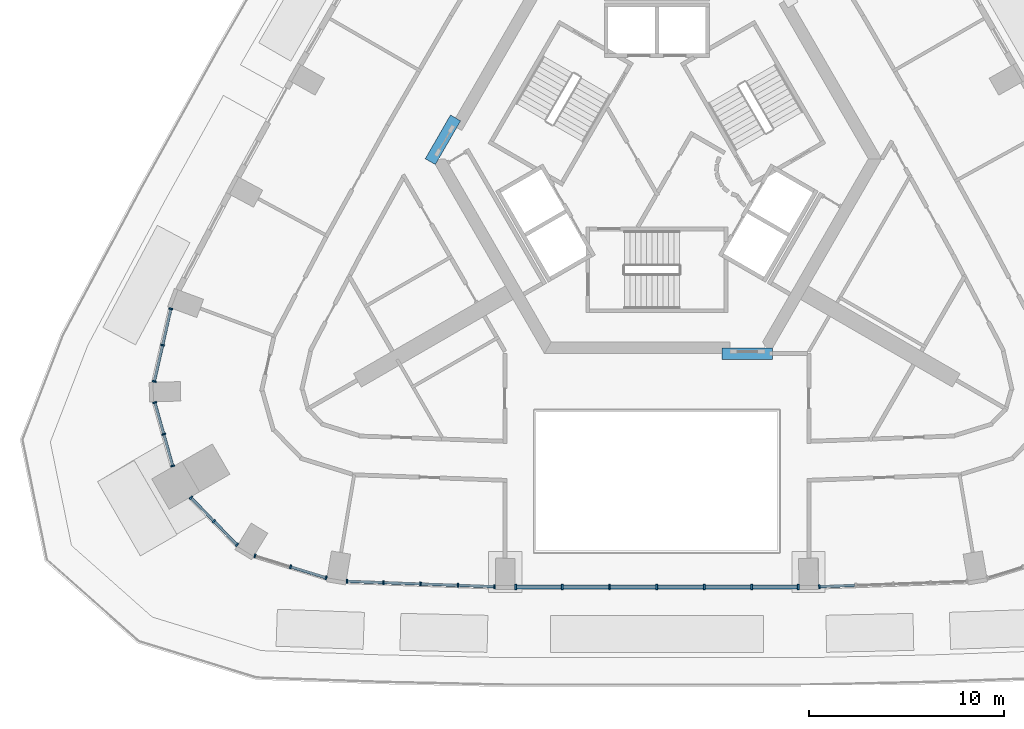
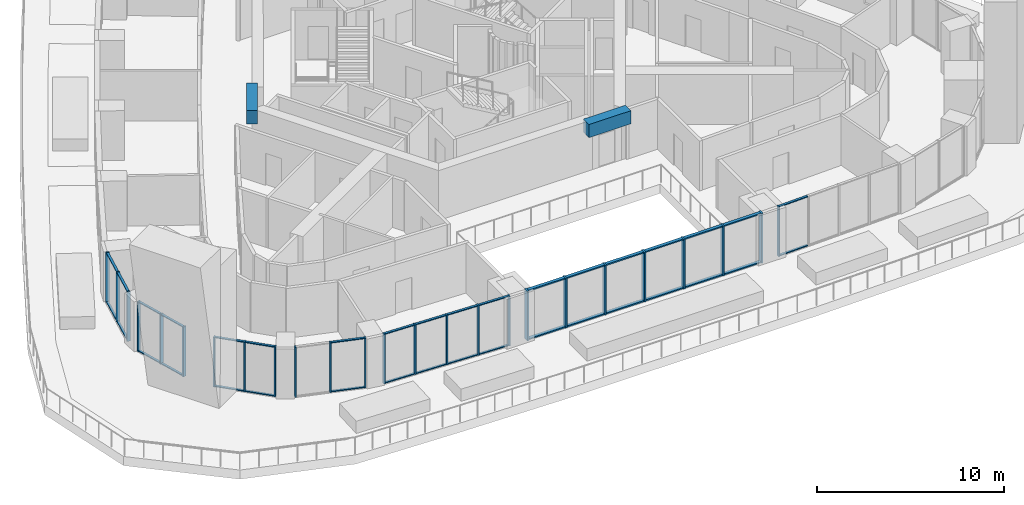
# One storey, part 2 of 14: 61 members, 2 beams, 7 elements without a shape of their own.
"""IFC4 building model written with IfcOpenShell, lengths in metres."""

from ifc_helpers import new_model, si_unit, direction, frame, origin, origin_2d, place, context, subcontext, project, spatial, rectangle, extrude, material, material_profile, profile_set, type_object, element, aggregate, save


model = new_model("IFC4")

# Units and contexts
model_context = context("Model", 3, precision=1e-05, world=origin(), true_north=direction((0.0, 1.0)))
body_context = subcontext(model_context, "Body", "Model", "MODEL_VIEW")
ifc_project = project(units=[si_unit("LENGTHUNIT", "METRE"), si_unit("AREAUNIT", "SQUARE_METRE"), si_unit("VOLUMEUNIT", "CUBIC_METRE"), si_unit("PLANEANGLEUNIT", "RADIAN"), si_unit("MASSUNIT", "GRAM", prefix="KILO")], contexts=[model_context])

# Site, building, storey
site_placement = place(None, origin())
site = spatial("IfcSite", under=ifc_project, at=site_placement, CompositionType="ELEMENT")
building_placement = place(site_placement, origin())
building = spatial("IfcBuilding", under=site, at=building_placement, Name="Entoto Arch Interchange Tower", CompositionType="ELEMENT")
storey_placement = place(building_placement, frame((0.0, 0.0, 241.39990234375)))
storey = spatial("IfcBuildingStorey", under=building, at=storey_placement, Name="L54", CompositionType="ELEMENT", Elevation=241.39990234375)

# Beams
ifc_material_1 = material(Name="Concrete C40/50", Category="concrete")
ifc_material_profile_1 = material_profile(ifc_material_1, rectangle(XDim=0.60009765625, YDim=0.860107421875, at=origin_2d()))
ifc_profile_set_1 = profile_set([ifc_material_profile_1], Name="Concrete C40/50")
beam_type = type_object("IfcBeamType", Name="Coupling beam RC 600x860 C40/50", PredefinedType="BEAM", material=ifc_profile_set_1)
beam_1_placement = place(storey_placement, frame((-10.3359375, 4.59912109375, 2.830078125), z_axis=(-0.499814819145, -0.866132291606, 0.0), x_axis=(0.866132291606, -0.499814819145, 0.0)))
element("IfcBeam", 1, at=beam_1_placement, inside=storey, type_object=beam_type, Name="Coupling beam NW L54", PredefinedType="BEAM", context=body_context, shape_type="SweptSolid", body=[
    extrude(rectangle(XDim=0.60009765625, YDim=0.860107421875, at=origin_2d()), origin(), (0.0, 0.0, 1.0), 2.59326171875),
])
beam_2_placement = place(storey_placement, frame((3.35009765625, -7.5, 2.830078125), z_axis=(1.0, 0.0, 0.0), x_axis=(0.0, 1.0, 0.0)))
element("IfcBeam", 2, at=beam_2_placement, inside=storey, type_object=beam_type, Name="Coupling beam S L54", PredefinedType="BEAM", context=body_context, shape_type="SweptSolid", body=[
    extrude(rectangle(XDim=0.60009765625, YDim=0.860107421875, at=origin_2d()), origin(), (0.0, 0.0, 1.0), 2.593994140625),
])

# Curtain wall, members
ifc_material_2 = material(Name="Aluminium, anodised", Category="aluminium")
curtain_wall_type_1 = type_object("IfcCurtainWallType", Name="CURTAIN WALL ATRIUM", PredefinedType="NOTDEFINED", material=ifc_material_2)
curtain_wall_1_placement = place(storey_placement, origin())
curtain_wall_1 = element("IfcCurtainWall", 3, at=curtain_wall_1_placement, inside=storey, type_object=curtain_wall_type_1, Name="Atrium glazing S-02 L54", PredefinedType="NOTDEFINED")
ifc_material_profile_2 = material_profile(ifc_material_2, rectangle(XDim=0.300048828125, YDim=0.10009765625, at=origin_2d()))
ifc_profile_set_2 = profile_set([ifc_material_profile_2], Name="Aluminium, anodised")
member_type_1 = type_object("IfcMemberType", Name="MULLION ATRIUM 100x300", PredefinedType="MULLION", material=ifc_profile_set_2)
member_1_placement = place(storey_placement, frame((-7.2490234375, -19.48291015625, 0.0), z_axis=(0.0, 0.0, 1.0), x_axis=(0.0, 1.0, 0.0)))
member_1 = element("IfcMember", 4, at=member_1_placement, type_object=member_type_1, Name="CWA mullion 1", PredefinedType="MULLION", context=body_context, shape_type="SweptSolid", body=[
    extrude(rectangle(XDim=0.300048828125, YDim=0.10009765625, at=origin_2d()), origin(), (0.0, 0.0, 1.0), 3.260009765625),
])
member_2_placement = place(storey_placement, frame((-4.865966796875, -19.48291015625, 0.0), z_axis=(0.0, 0.0, 1.0), x_axis=(0.0, 1.0, 0.0)))
member_2 = element("IfcMember", 5, at=member_2_placement, type_object=member_type_1, Name="CWA mullion 2", PredefinedType="MULLION", context=body_context, shape_type="SweptSolid", body=[
    extrude(rectangle(XDim=0.300048828125, YDim=0.10009765625, at=origin_2d()), origin(), (0.0, 0.0, 1.0), 3.260009765625),
])
member_3_placement = place(storey_placement, frame((-2.43310546875, -19.48291015625, 0.0), z_axis=(0.0, 0.0, 1.0), x_axis=(0.0, 1.0, 0.0)))
member_3 = element("IfcMember", 6, at=member_3_placement, type_object=member_type_1, Name="CWA mullion 3", PredefinedType="MULLION", context=body_context, shape_type="SweptSolid", body=[
    extrude(rectangle(XDim=0.300048828125, YDim=0.10009765625, at=origin_2d()), origin(), (0.0, 0.0, 1.0), 3.260009765625),
])
member_4_placement = place(storey_placement, frame((0.0, -19.48291015625, 0.0), z_axis=(0.0, 0.0, 1.0), x_axis=(0.0, 1.0, 0.0)))
member_4 = element("IfcMember", 7, at=member_4_placement, type_object=member_type_1, Name="CWA mullion 4", PredefinedType="MULLION", context=body_context, shape_type="SweptSolid", body=[
    extrude(rectangle(XDim=0.300048828125, YDim=0.10009765625, at=origin_2d()), origin(), (0.0, 0.0, 1.0), 3.260009765625),
])
member_5_placement = place(storey_placement, frame((2.43310546875, -19.48291015625, 0.0), z_axis=(0.0, 0.0, 1.0), x_axis=(0.0, 1.0, 0.0)))
member_5 = element("IfcMember", 8, at=member_5_placement, type_object=member_type_1, Name="CWA mullion 5", PredefinedType="MULLION", context=body_context, shape_type="SweptSolid", body=[
    extrude(rectangle(XDim=0.300048828125, YDim=0.10009765625, at=origin_2d()), origin(), (0.0, 0.0, 1.0), 3.260009765625),
])
member_6_placement = place(storey_placement, frame((4.865966796875, -19.48291015625, 0.0), z_axis=(0.0, 0.0, 1.0), x_axis=(0.0, 1.0, 0.0)))
member_6 = element("IfcMember", 9, at=member_6_placement, type_object=member_type_1, Name="CWA mullion 6", PredefinedType="MULLION", context=body_context, shape_type="SweptSolid", body=[
    extrude(rectangle(XDim=0.300048828125, YDim=0.10009765625, at=origin_2d()), origin(), (0.0, 0.0, 1.0), 3.260009765625),
])
member_7_placement = place(storey_placement, frame((7.2490234375, -19.48291015625, 0.0), z_axis=(0.0, 0.0, 1.0), x_axis=(0.0, 1.0, 0.0)))
member_7 = element("IfcMember", 10, at=member_7_placement, type_object=member_type_1, Name="CWA mullion 7", PredefinedType="MULLION", context=body_context, shape_type="SweptSolid", body=[
    extrude(rectangle(XDim=0.300048828125, YDim=0.10009765625, at=origin_2d()), origin(), (0.0, 0.0, 1.0), 3.260009765625),
])

curtain_wall_type_2 = type_object("IfcCurtainWallType", Name="CURTAIN WALL HOTEL LOBBY", PredefinedType="NOTDEFINED", material=ifc_material_2)
curtain_wall_2_placement = place(storey_placement, origin())
curtain_wall_2 = element("IfcCurtainWall", 11, at=curtain_wall_2_placement, inside=storey, type_object=curtain_wall_type_2, Name="Hotel Lobby glazing S-01 L54", PredefinedType="NOTDEFINED")
ifc_material_profile_3 = material_profile(ifc_material_2, rectangle(XDim=0.199951171875, YDim=0.080078125, at=origin_2d()))
ifc_profile_set_3 = profile_set([ifc_material_profile_3], Name="Aluminium, anodised")
member_type_2 = type_object("IfcMemberType", Name="MULLION HOTEL LOBBY 80x200", PredefinedType="MULLION", material=ifc_profile_set_3)
member_8_placement = place(storey_placement, frame((-15.916015625, -19.1865234375, 0.0), z_axis=(0.0, 0.0, 1.0), x_axis=(0.036529128561, 0.999332588664, 0.0)))
member_8 = element("IfcMember", 12, at=member_8_placement, type_object=member_type_2, Name="CWH mullion 1", PredefinedType="MULLION", context=body_context, shape_type="SweptSolid", body=[
    extrude(rectangle(XDim=0.199951171875, YDim=0.080078125, at=origin_2d()), origin(), (0.0, 0.0, 1.0), 3.260009765625),
])
member_9_placement = place(storey_placement, frame((-14.041015625, -19.2548828125, 0.0), z_axis=(0.0, 0.0, 1.0), x_axis=(0.036529128561, 0.999332588664, 0.0)))
member_9 = element("IfcMember", 13, at=member_9_placement, type_object=member_type_2, Name="CWH mullion 2", PredefinedType="MULLION", context=body_context, shape_type="SweptSolid", body=[
    extrude(rectangle(XDim=0.199951171875, YDim=0.080078125, at=origin_2d()), origin(), (0.0, 0.0, 1.0), 3.260009765625),
])
member_10_placement = place(storey_placement, frame((-12.1259765625, -19.324951171875, 0.0), z_axis=(0.0, 0.0, 1.0), x_axis=(0.036529128561, 0.999332588664, 0.0)))
member_10 = element("IfcMember", 14, at=member_10_placement, type_object=member_type_2, Name="CWH mullion 3", PredefinedType="MULLION", context=body_context, shape_type="SweptSolid", body=[
    extrude(rectangle(XDim=0.199951171875, YDim=0.080078125, at=origin_2d()), origin(), (0.0, 0.0, 1.0), 3.260009765625),
])
member_11_placement = place(storey_placement, frame((-10.2109375, -19.39501953125, 0.0), z_axis=(0.0, 0.0, 1.0), x_axis=(0.036529128561, 0.999332588664, 0.0)))
member_11 = element("IfcMember", 15, at=member_11_placement, type_object=member_type_2, Name="CWH mullion 4", PredefinedType="MULLION", context=body_context, shape_type="SweptSolid", body=[
    extrude(rectangle(XDim=0.199951171875, YDim=0.080078125, at=origin_2d()), origin(), (0.0, 0.0, 1.0), 3.260009765625),
])
member_12_placement = place(storey_placement, frame((-8.3359375, -19.463623046875, 0.0), z_axis=(0.0, 0.0, 1.0), x_axis=(0.036529128561, 0.999332588664, 0.0)))
member_12 = element("IfcMember", 16, at=member_12_placement, type_object=member_type_2, Name="CWH mullion 5", PredefinedType="MULLION", context=body_context, shape_type="SweptSolid", body=[
    extrude(rectangle(XDim=0.199951171875, YDim=0.080078125, at=origin_2d()), origin(), (0.0, 0.0, 1.0), 3.260009765625),
])

# Curtain wall, member
curtain_wall_3_placement = place(storey_placement, origin())
curtain_wall_3 = element("IfcCurtainWall", 17, at=curtain_wall_3_placement, inside=storey, type_object=curtain_wall_type_2, Name="Hotel Lobby glazing S-03 L54", PredefinedType="NOTDEFINED")
member_13_placement = place(storey_placement, frame((8.3359375, -19.463623046875, 0.0), z_axis=(0.0, 0.0, 1.0), x_axis=(-0.036529128561, 0.999332588664, 0.0)))
member_13 = element("IfcMember", 18, at=member_13_placement, type_object=member_type_2, Name="CWH mullion 1", PredefinedType="MULLION", context=body_context, shape_type="SweptSolid", body=[
    extrude(rectangle(XDim=0.199951171875, YDim=0.080078125, at=origin_2d()), origin(), (0.0, 0.0, 1.0), 3.260009765625),
])

# Curtain wall, members
curtain_wall_4_placement = place(storey_placement, origin())
curtain_wall_4 = element("IfcCurtainWall", 19, at=curtain_wall_4_placement, inside=storey, type_object=curtain_wall_type_2, Name="Hotel Lobby glazing SW-01 L54", PredefinedType="NOTDEFINED")
member_14_placement = place(storey_placement, frame((-24.948974609375, -5.199951171875, 0.0), z_axis=(0.0, 0.0, 1.0), x_axis=(0.974880746061, -0.222727481374, 0.0)))
member_14 = element("IfcMember", 20, at=member_14_placement, type_object=member_type_2, Name="CWH mullion 1", PredefinedType="MULLION", context=body_context, shape_type="SweptSolid", body=[
    extrude(rectangle(XDim=0.199951171875, YDim=0.080078125, at=origin_2d()), origin(), (0.0, 0.0, 1.0), 3.260009765625),
])
member_15_placement = place(storey_placement, frame((-25.375, -7.06494140625, 0.0), z_axis=(0.0, 0.0, 1.0), x_axis=(0.974880746061, -0.222727481374, 0.0)))
member_15 = element("IfcMember", 21, at=member_15_placement, type_object=member_type_2, Name="CWH mullion 2", PredefinedType="MULLION", context=body_context, shape_type="SweptSolid", body=[
    extrude(rectangle(XDim=0.199951171875, YDim=0.080078125, at=origin_2d()), origin(), (0.0, 0.0, 1.0), 3.260009765625),
])
member_16_placement = place(storey_placement, frame((-25.801025390625, -8.929931640625, 0.0), z_axis=(0.0, 0.0, 1.0), x_axis=(0.974880746061, -0.222727481374, 0.0)))
member_16 = element("IfcMember", 22, at=member_16_placement, type_object=member_type_2, Name="CWH mullion 3", PredefinedType="MULLION", context=body_context, shape_type="SweptSolid", body=[
    extrude(rectangle(XDim=0.199951171875, YDim=0.080078125, at=origin_2d()), origin(), (0.0, 0.0, 1.0), 3.260009765625),
])

curtain_wall_5_placement = place(storey_placement, origin())
curtain_wall_5 = element("IfcCurtainWall", 23, at=curtain_wall_5_placement, inside=storey, type_object=curtain_wall_type_2, Name="Hotel Lobby glazing SW-02 L54", PredefinedType="NOTDEFINED")
member_17_placement = place(storey_placement, frame((-25.774169921875, -10.009521484375, 0.0), z_axis=(0.0, 0.0, 1.0), x_axis=(0.962594515404, 0.2709461181, 0.0)))
member_17 = element("IfcMember", 24, at=member_17_placement, type_object=member_type_2, Name="CWH mullion 1", PredefinedType="MULLION", context=body_context, shape_type="SweptSolid", body=[
    extrude(rectangle(XDim=0.199951171875, YDim=0.080078125, at=origin_2d()), origin(), (0.0, 0.0, 1.0), 3.260009765625),
])
member_18_placement = place(storey_placement, frame((-25.3154296875, -11.638916015625, 0.0), z_axis=(0.0, 0.0, 1.0), x_axis=(0.962594515404, 0.2709461181, 0.0)))
member_18 = element("IfcMember", 25, at=member_18_placement, type_object=member_type_2, Name="CWH mullion 2", PredefinedType="MULLION", context=body_context, shape_type="SweptSolid", body=[
    extrude(rectangle(XDim=0.199951171875, YDim=0.080078125, at=origin_2d()), origin(), (0.0, 0.0, 1.0), 3.260009765625),
])
member_19_placement = place(storey_placement, frame((-24.85693359375, -13.2685546875, 0.0), z_axis=(0.0, 0.0, 1.0), x_axis=(0.962594515404, 0.2709461181, 0.0)))
member_19 = element("IfcMember", 26, at=member_19_placement, type_object=member_type_2, Name="CWH mullion 3", PredefinedType="MULLION", context=body_context, shape_type="SweptSolid", body=[
    extrude(rectangle(XDim=0.199951171875, YDim=0.080078125, at=origin_2d()), origin(), (0.0, 0.0, 1.0), 3.260009765625),
])

curtain_wall_6_placement = place(storey_placement, origin())
curtain_wall_6 = element("IfcCurtainWall", 27, at=curtain_wall_6_placement, inside=storey, type_object=curtain_wall_type_2, Name="Hotel Lobby glazing SW-03 L54", PredefinedType="NOTDEFINED")
member_20_placement = place(storey_placement, frame((-23.9189453125, -14.8935546875, 0.0), z_axis=(0.0, 0.0, 1.0), x_axis=(0.715715068987, 0.698392396883, 0.0)))
member_20 = element("IfcMember", 28, at=member_20_placement, type_object=member_type_2, Name="CWH mullion 1", PredefinedType="MULLION", context=body_context, shape_type="SweptSolid", body=[
    extrude(rectangle(XDim=0.199951171875, YDim=0.080078125, at=origin_2d()), origin(), (0.0, 0.0, 1.0), 3.260009765625),
])
member_21_placement = place(storey_placement, frame((-22.737548828125, -16.1044921875, 0.0), z_axis=(0.0, 0.0, 1.0), x_axis=(0.715715068987, 0.698392396883, 0.0)))
member_21 = element("IfcMember", 29, at=member_21_placement, type_object=member_type_2, Name="CWH mullion 2", PredefinedType="MULLION", context=body_context, shape_type="SweptSolid", body=[
    extrude(rectangle(XDim=0.199951171875, YDim=0.080078125, at=origin_2d()), origin(), (0.0, 0.0, 1.0), 3.260009765625),
])
member_22_placement = place(storey_placement, frame((-21.555908203125, -17.3154296875, 0.0), z_axis=(0.0, 0.0, 1.0), x_axis=(0.715715068987, 0.698392396883, 0.0)))
member_22 = element("IfcMember", 30, at=member_22_placement, type_object=member_type_2, Name="CWH mullion 3", PredefinedType="MULLION", context=body_context, shape_type="SweptSolid", body=[
    extrude(rectangle(XDim=0.199951171875, YDim=0.080078125, at=origin_2d()), origin(), (0.0, 0.0, 1.0), 3.260009765625),
])

curtain_wall_7_placement = place(storey_placement, origin())
curtain_wall_7 = element("IfcCurtainWall", 31, at=curtain_wall_7_placement, inside=storey, type_object=curtain_wall_type_2, Name="Hotel Lobby glazing SW-04 L54", PredefinedType="NOTDEFINED")
member_23_placement = place(storey_placement, frame((-20.634765625, -17.8798828125, 0.0), z_axis=(0.0, 0.0, 1.0), x_axis=(0.294409647977, 0.95567931817, 0.0)))
member_23 = element("IfcMember", 32, at=member_23_placement, type_object=member_type_2, Name="CWH mullion 1", PredefinedType="MULLION", context=body_context, shape_type="SweptSolid", body=[
    extrude(rectangle(XDim=0.199951171875, YDim=0.080078125, at=origin_2d()), origin(), (0.0, 0.0, 1.0), 3.260009765625),
])
member_24_placement = place(storey_placement, frame((-18.806396484375, -18.443115234375, 0.0), z_axis=(0.0, 0.0, 1.0), x_axis=(0.294409647977, 0.95567931817, 0.0)))
member_24 = element("IfcMember", 33, at=member_24_placement, type_object=member_type_2, Name="CWH mullion 2", PredefinedType="MULLION", context=body_context, shape_type="SweptSolid", body=[
    extrude(rectangle(XDim=0.199951171875, YDim=0.080078125, at=origin_2d()), origin(), (0.0, 0.0, 1.0), 3.260009765625),
])
member_25_placement = place(storey_placement, frame((-16.978271484375, -19.006103515625, 0.0), z_axis=(0.0, 0.0, 1.0), x_axis=(0.294409647977, 0.95567931817, 0.0)))
member_25 = element("IfcMember", 34, at=member_25_placement, type_object=member_type_2, Name="CWH mullion 3", PredefinedType="MULLION", context=body_context, shape_type="SweptSolid", body=[
    extrude(rectangle(XDim=0.199951171875, YDim=0.080078125, at=origin_2d()), origin(), (0.0, 0.0, 1.0), 3.260009765625),
])

# Member
ifc_material_profile_4 = material_profile(ifc_material_2, rectangle(XDim=0.199951171875, YDim=0.080078125, at=origin_2d()))
ifc_profile_set_4 = profile_set([ifc_material_profile_4], Name="Aluminium, anodised")
member_type_3 = type_object("IfcMemberType", Name="TRANSOM ATRIUM 80x200", PredefinedType="USERDEFINED", material=ifc_profile_set_4)
member_26_placement = place(storey_placement, frame((-7.198974609375, -19.48291015625, 0.0400390625), z_axis=(1.0, 0.0, 0.0), x_axis=(0.0, 1.0, 0.0)))
member_26 = element("IfcMember", 35, at=member_26_placement, type_object=member_type_3, Name="CWA transom 1.1", ObjectType="TRANSOM", PredefinedType="USERDEFINED", context=body_context, shape_type="SweptSolid", body=[
    extrude(rectangle(XDim=0.199951171875, YDim=0.080078125, at=origin_2d()), origin(), (0.0, 0.0, 1.0), 2.282958984375),
])

member_27_placement = place(storey_placement, frame((-7.198974609375, -19.48291015625, 3.22021484375), z_axis=(1.0, 0.0, 0.0), x_axis=(0.0, 1.0, 0.0)))
member_27 = element("IfcMember", 36, at=member_27_placement, type_object=member_type_3, Name="CWA transom 1.2", ObjectType="TRANSOM", PredefinedType="USERDEFINED", context=body_context, shape_type="SweptSolid", body=[
    extrude(rectangle(XDim=0.199951171875, YDim=0.080078125, at=origin_2d()), origin(), (0.0, 0.0, 1.0), 2.282958984375),
])

member_28_placement = place(storey_placement, frame((-4.81591796875, -19.48291015625, 0.0400390625), z_axis=(1.0, 0.0, 0.0), x_axis=(0.0, 1.0, 0.0)))
member_28 = element("IfcMember", 37, at=member_28_placement, type_object=member_type_3, Name="CWA transom 2.1", ObjectType="TRANSOM", PredefinedType="USERDEFINED", context=body_context, shape_type="SweptSolid", body=[
    extrude(rectangle(XDim=0.199951171875, YDim=0.080078125, at=origin_2d()), origin(), (0.0, 0.0, 1.0), 2.3330078125),
])

member_29_placement = place(storey_placement, frame((-4.81591796875, -19.48291015625, 3.22021484375), z_axis=(1.0, 0.0, 0.0), x_axis=(0.0, 1.0, 0.0)))
member_29 = element("IfcMember", 38, at=member_29_placement, type_object=member_type_3, Name="CWA transom 2.2", ObjectType="TRANSOM", PredefinedType="USERDEFINED", context=body_context, shape_type="SweptSolid", body=[
    extrude(rectangle(XDim=0.199951171875, YDim=0.080078125, at=origin_2d()), origin(), (0.0, 0.0, 1.0), 2.3330078125),
])

member_30_placement = place(storey_placement, frame((-2.383056640625, -19.48291015625, 0.0400390625), z_axis=(1.0, 0.0, 0.0), x_axis=(0.0, 1.0, 0.0)))
member_30 = element("IfcMember", 39, at=member_30_placement, type_object=member_type_3, Name="CWA transom 3.1", ObjectType="TRANSOM", PredefinedType="USERDEFINED", context=body_context, shape_type="SweptSolid", body=[
    extrude(rectangle(XDim=0.199951171875, YDim=0.080078125, at=origin_2d()), origin(), (0.0, 0.0, 1.0), 2.3330078125),
])

member_31_placement = place(storey_placement, frame((-2.383056640625, -19.48291015625, 3.22021484375), z_axis=(1.0, 0.0, 0.0), x_axis=(0.0, 1.0, 0.0)))
member_31 = element("IfcMember", 40, at=member_31_placement, type_object=member_type_3, Name="CWA transom 3.2", ObjectType="TRANSOM", PredefinedType="USERDEFINED", context=body_context, shape_type="SweptSolid", body=[
    extrude(rectangle(XDim=0.199951171875, YDim=0.080078125, at=origin_2d()), origin(), (0.0, 0.0, 1.0), 2.3330078125),
])

member_32_placement = place(storey_placement, frame((0.050048828125, -19.48291015625, 0.0400390625), z_axis=(1.0, 0.0, 0.0), x_axis=(0.0, 1.0, 0.0)))
member_32 = element("IfcMember", 41, at=member_32_placement, type_object=member_type_3, Name="CWA transom 4.1", ObjectType="TRANSOM", PredefinedType="USERDEFINED", context=body_context, shape_type="SweptSolid", body=[
    extrude(rectangle(XDim=0.199951171875, YDim=0.080078125, at=origin_2d()), origin(), (0.0, 0.0, 1.0), 2.3330078125),
])

member_33_placement = place(storey_placement, frame((0.050048828125, -19.48291015625, 3.22021484375), z_axis=(1.0, 0.0, 0.0), x_axis=(0.0, 1.0, 0.0)))
member_33 = element("IfcMember", 42, at=member_33_placement, type_object=member_type_3, Name="CWA transom 4.2", ObjectType="TRANSOM", PredefinedType="USERDEFINED", context=body_context, shape_type="SweptSolid", body=[
    extrude(rectangle(XDim=0.199951171875, YDim=0.080078125, at=origin_2d()), origin(), (0.0, 0.0, 1.0), 2.3330078125),
])

member_34_placement = place(storey_placement, frame((2.48291015625, -19.48291015625, 0.0400390625), z_axis=(1.0, 0.0, 0.0), x_axis=(0.0, 1.0, 0.0)))
member_34 = element("IfcMember", 43, at=member_34_placement, type_object=member_type_3, Name="CWA transom 5.1", ObjectType="TRANSOM", PredefinedType="USERDEFINED", context=body_context, shape_type="SweptSolid", body=[
    extrude(rectangle(XDim=0.199951171875, YDim=0.080078125, at=origin_2d()), origin(), (0.0, 0.0, 1.0), 2.3330078125),
])

member_35_placement = place(storey_placement, frame((2.48291015625, -19.48291015625, 3.22021484375), z_axis=(1.0, 0.0, 0.0), x_axis=(0.0, 1.0, 0.0)))
member_35 = element("IfcMember", 44, at=member_35_placement, type_object=member_type_3, Name="CWA transom 5.2", ObjectType="TRANSOM", PredefinedType="USERDEFINED", context=body_context, shape_type="SweptSolid", body=[
    extrude(rectangle(XDim=0.199951171875, YDim=0.080078125, at=origin_2d()), origin(), (0.0, 0.0, 1.0), 2.3330078125),
])

member_36_placement = place(storey_placement, frame((4.916015625, -19.48291015625, 0.0400390625), z_axis=(1.0, 0.0, 0.0), x_axis=(0.0, 1.0, 0.0)))
member_36 = element("IfcMember", 45, at=member_36_placement, type_object=member_type_3, Name="CWA transom 6.1", ObjectType="TRANSOM", PredefinedType="USERDEFINED", context=body_context, shape_type="SweptSolid", body=[
    extrude(rectangle(XDim=0.199951171875, YDim=0.080078125, at=origin_2d()), origin(), (0.0, 0.0, 1.0), 2.282958984375),
])

member_37_placement = place(storey_placement, frame((4.916015625, -19.48291015625, 3.22021484375), z_axis=(1.0, 0.0, 0.0), x_axis=(0.0, 1.0, 0.0)))
member_37 = element("IfcMember", 46, at=member_37_placement, type_object=member_type_3, Name="CWA transom 6.2", ObjectType="TRANSOM", PredefinedType="USERDEFINED", context=body_context, shape_type="SweptSolid", body=[
    extrude(rectangle(XDim=0.199951171875, YDim=0.080078125, at=origin_2d()), origin(), (0.0, 0.0, 1.0), 2.282958984375),
])

aggregate(curtain_wall_1, [member_1, member_2, member_3, member_4, member_5, member_6, member_7, member_26, member_27, member_28, member_29, member_30, member_31, member_32, member_33, member_34, member_35, member_36, member_37])

ifc_material_profile_5 = material_profile(ifc_material_2, rectangle(XDim=0.139892578125, YDim=0.06005859375, at=origin_2d()))
ifc_profile_set_5 = profile_set([ifc_material_profile_5], Name="Aluminium, anodised")
member_type_4 = type_object("IfcMemberType", Name="TRANSOM HOTEL LOBBY 60x140", PredefinedType="USERDEFINED", material=ifc_profile_set_5)
member_38_placement = place(storey_placement, frame((-15.8759765625, -19.18798828125, 0.030029296875), z_axis=(0.999336262978, -0.036428470957, 0.0), x_axis=(0.036428470957, 0.999336262978, 0.0)))
member_38 = element("IfcMember", 47, at=member_38_placement, type_object=member_type_4, Name="CWH transom 1.1", ObjectType="TRANSOM", PredefinedType="USERDEFINED", context=body_context, shape_type="SweptSolid", body=[
    extrude(rectangle(XDim=0.139892578125, YDim=0.06005859375, at=origin_2d()), origin(), (0.0, 0.0, 1.0), 1.796142578125),
])

member_39_placement = place(storey_placement, frame((-15.8759765625, -19.18798828125, 3.22998046875), z_axis=(0.999336262978, -0.036428470957, 0.0), x_axis=(0.036428470957, 0.999336262978, 0.0)))
member_39 = element("IfcMember", 48, at=member_39_placement, type_object=member_type_4, Name="CWH transom 1.2", ObjectType="TRANSOM", PredefinedType="USERDEFINED", context=body_context, shape_type="SweptSolid", body=[
    extrude(rectangle(XDim=0.139892578125, YDim=0.06005859375, at=origin_2d()), origin(), (0.0, 0.0, 1.0), 1.796142578125),
])

member_40_placement = place(storey_placement, frame((-14.0009765625, -19.25634765625, 0.030029296875), z_axis=(0.999331308096, -0.036564144455, 0.0), x_axis=(0.036564144455, 0.999331308096, 0.0)))
member_40 = element("IfcMember", 49, at=member_40_placement, type_object=member_type_4, Name="CWH transom 2.1", ObjectType="TRANSOM", PredefinedType="USERDEFINED", context=body_context, shape_type="SweptSolid", body=[
    extrude(rectangle(XDim=0.139892578125, YDim=0.06005859375, at=origin_2d()), origin(), (0.0, 0.0, 1.0), 1.836181640625),
])

member_41_placement = place(storey_placement, frame((-14.0009765625, -19.25634765625, 3.22998046875), z_axis=(0.999331308096, -0.036564144455, 0.0), x_axis=(0.036564144455, 0.999331308096, 0.0)))
member_41 = element("IfcMember", 50, at=member_41_placement, type_object=member_type_4, Name="CWH transom 2.2", ObjectType="TRANSOM", PredefinedType="USERDEFINED", context=body_context, shape_type="SweptSolid", body=[
    extrude(rectangle(XDim=0.139892578125, YDim=0.06005859375, at=origin_2d()), origin(), (0.0, 0.0, 1.0), 1.836181640625),
])

member_42_placement = place(storey_placement, frame((-12.0859375, -19.326416015625, 0.030029296875), z_axis=(0.999331308096, -0.036564144455, 0.0), x_axis=(0.036564144455, 0.999331308096, 0.0)))
member_42 = element("IfcMember", 51, at=member_42_placement, type_object=member_type_4, Name="CWH transom 3.1", ObjectType="TRANSOM", PredefinedType="USERDEFINED", context=body_context, shape_type="SweptSolid", body=[
    extrude(rectangle(XDim=0.139892578125, YDim=0.06005859375, at=origin_2d()), origin(), (0.0, 0.0, 1.0), 1.836181640625),
])

member_43_placement = place(storey_placement, frame((-12.0859375, -19.326416015625, 3.22998046875), z_axis=(0.999331308096, -0.036564144455, 0.0), x_axis=(0.036564144455, 0.999331308096, 0.0)))
member_43 = element("IfcMember", 52, at=member_43_placement, type_object=member_type_4, Name="CWH transom 3.2", ObjectType="TRANSOM", PredefinedType="USERDEFINED", context=body_context, shape_type="SweptSolid", body=[
    extrude(rectangle(XDim=0.139892578125, YDim=0.06005859375, at=origin_2d()), origin(), (0.0, 0.0, 1.0), 1.836181640625),
])

member_44_placement = place(storey_placement, frame((-10.171142578125, -19.396484375, 0.030029296875), z_axis=(0.999331487141, -0.036559250652, 0.0), x_axis=(0.036559250652, 0.999331487141, 0.0)))
member_44 = element("IfcMember", 53, at=member_44_placement, type_object=member_type_4, Name="CWH transom 4.1", ObjectType="TRANSOM", PredefinedType="USERDEFINED", context=body_context, shape_type="SweptSolid", body=[
    extrude(rectangle(XDim=0.139892578125, YDim=0.06005859375, at=origin_2d()), origin(), (0.0, 0.0, 1.0), 1.79638671875),
])

member_45_placement = place(storey_placement, frame((-10.171142578125, -19.396484375, 3.22998046875), z_axis=(0.999331487141, -0.036559250652, 0.0), x_axis=(0.036559250652, 0.999331487141, 0.0)))
member_45 = element("IfcMember", 54, at=member_45_placement, type_object=member_type_4, Name="CWH transom 4.2", ObjectType="TRANSOM", PredefinedType="USERDEFINED", context=body_context, shape_type="SweptSolid", body=[
    extrude(rectangle(XDim=0.139892578125, YDim=0.06005859375, at=origin_2d()), origin(), (0.0, 0.0, 1.0), 1.79638671875),
])

aggregate(curtain_wall_2, [member_8, member_9, member_10, member_11, member_12, member_38, member_39, member_40, member_41, member_42, member_43, member_44, member_45])

member_46_placement = place(storey_placement, frame((8.3759765625, -19.462158203125, 0.030029296875), z_axis=(0.999331487141, 0.036559250652, 0.0), x_axis=(-0.036559250652, 0.999331487141, 0.0)))
member_46 = element("IfcMember", 55, at=member_46_placement, type_object=member_type_4, Name="CWH transom 1.1", ObjectType="TRANSOM", PredefinedType="USERDEFINED", context=body_context, shape_type="SweptSolid", body=[
    extrude(rectangle(XDim=0.139892578125, YDim=0.06005859375, at=origin_2d()), origin(), (0.0, 0.0, 1.0), 1.79638671875),
])

member_47_placement = place(storey_placement, frame((8.3759765625, -19.462158203125, 3.22998046875), z_axis=(0.999331487141, 0.036559250652, 0.0), x_axis=(-0.036559250652, 0.999331487141, 0.0)))
member_47 = element("IfcMember", 56, at=member_47_placement, type_object=member_type_4, Name="CWH transom 1.2", ObjectType="TRANSOM", PredefinedType="USERDEFINED", context=body_context, shape_type="SweptSolid", body=[
    extrude(rectangle(XDim=0.139892578125, YDim=0.06005859375, at=origin_2d()), origin(), (0.0, 0.0, 1.0), 1.79638671875),
])

aggregate(curtain_wall_3, [member_13, member_46, member_47])

member_48_placement = place(storey_placement, frame((-24.957763671875, -5.239013671875, 0.030029296875), z_axis=(-0.222806720671, -0.974862639157, 0.0), x_axis=(0.974862639157, -0.222806720671, 0.0)))
member_48 = element("IfcMember", 57, at=member_48_placement, type_object=member_type_4, Name="CWH transom 1.1", ObjectType="TRANSOM", PredefinedType="USERDEFINED", context=body_context, shape_type="SweptSolid", body=[
    extrude(rectangle(XDim=0.139892578125, YDim=0.06005859375, at=origin_2d()), origin(), (0.0, 0.0, 1.0), 1.833251953125),
])

member_49_placement = place(storey_placement, frame((-24.957763671875, -5.239013671875, 3.22998046875), z_axis=(-0.222806720671, -0.974862639157, 0.0), x_axis=(0.974862639157, -0.222806720671, 0.0)))
member_49 = element("IfcMember", 58, at=member_49_placement, type_object=member_type_4, Name="CWH transom 1.2", ObjectType="TRANSOM", PredefinedType="USERDEFINED", context=body_context, shape_type="SweptSolid", body=[
    extrude(rectangle(XDim=0.139892578125, YDim=0.06005859375, at=origin_2d()), origin(), (0.0, 0.0, 1.0), 1.833251953125),
])

member_50_placement = place(storey_placement, frame((-25.3837890625, -7.10400390625, 0.030029296875), z_axis=(-0.222806720671, -0.974862639157, 0.0), x_axis=(0.974862639157, -0.222806720671, 0.0)))
member_50 = element("IfcMember", 59, at=member_50_placement, type_object=member_type_4, Name="CWH transom 2.1", ObjectType="TRANSOM", PredefinedType="USERDEFINED", context=body_context, shape_type="SweptSolid", body=[
    extrude(rectangle(XDim=0.139892578125, YDim=0.06005859375, at=origin_2d()), origin(), (0.0, 0.0, 1.0), 1.833251953125),
])

member_51_placement = place(storey_placement, frame((-25.3837890625, -7.10400390625, 3.22998046875), z_axis=(-0.222806720671, -0.974862639157, 0.0), x_axis=(0.974862639157, -0.222806720671, 0.0)))
member_51 = element("IfcMember", 60, at=member_51_placement, type_object=member_type_4, Name="CWH transom 2.2", ObjectType="TRANSOM", PredefinedType="USERDEFINED", context=body_context, shape_type="SweptSolid", body=[
    extrude(rectangle(XDim=0.139892578125, YDim=0.06005859375, at=origin_2d()), origin(), (0.0, 0.0, 1.0), 1.833251953125),
])

aggregate(curtain_wall_4, [member_14, member_15, member_16, member_48, member_49, member_50, member_51])

member_52_placement = place(storey_placement, frame((-25.763427734375, -10.048095703125, 0.030029296875), z_axis=(0.270960371292, -0.962590503376, 0.0), x_axis=(0.962590503376, 0.270960371292, 0.0)))
member_52 = element("IfcMember", 61, at=member_52_placement, type_object=member_type_4, Name="CWH transom 1.1", ObjectType="TRANSOM", PredefinedType="USERDEFINED", context=body_context, shape_type="SweptSolid", body=[
    extrude(rectangle(XDim=0.139892578125, YDim=0.06005859375, at=origin_2d()), origin(), (0.0, 0.0, 1.0), 1.61279296875),
])

member_53_placement = place(storey_placement, frame((-25.763427734375, -10.048095703125, 3.22998046875), z_axis=(0.270960371292, -0.962590503376, 0.0), x_axis=(0.962590503376, 0.270960371292, 0.0)))
member_53 = element("IfcMember", 62, at=member_53_placement, type_object=member_type_4, Name="CWH transom 1.2", ObjectType="TRANSOM", PredefinedType="USERDEFINED", context=body_context, shape_type="SweptSolid", body=[
    extrude(rectangle(XDim=0.139892578125, YDim=0.06005859375, at=origin_2d()), origin(), (0.0, 0.0, 1.0), 1.61279296875),
])

member_54_placement = place(storey_placement, frame((-25.3046875, -11.677490234375, 0.030029296875), z_axis=(0.270960371292, -0.962590503376, 0.0), x_axis=(0.962590503376, 0.270960371292, 0.0)))
member_54 = element("IfcMember", 63, at=member_54_placement, type_object=member_type_4, Name="CWH transom 2.1", ObjectType="TRANSOM", PredefinedType="USERDEFINED", context=body_context, shape_type="SweptSolid", body=[
    extrude(rectangle(XDim=0.139892578125, YDim=0.06005859375, at=origin_2d()), origin(), (0.0, 0.0, 1.0), 1.61279296875),
])

member_55_placement = place(storey_placement, frame((-25.3046875, -11.677490234375, 3.22998046875), z_axis=(0.270960371292, -0.962590503376, 0.0), x_axis=(0.962590503376, 0.270960371292, 0.0)))
member_55 = element("IfcMember", 64, at=member_55_placement, type_object=member_type_4, Name="CWH transom 2.2", ObjectType="TRANSOM", PredefinedType="USERDEFINED", context=body_context, shape_type="SweptSolid", body=[
    extrude(rectangle(XDim=0.139892578125, YDim=0.06005859375, at=origin_2d()), origin(), (0.0, 0.0, 1.0), 1.61279296875),
])

aggregate(curtain_wall_5, [member_17, member_18, member_19, member_52, member_53, member_54, member_55])

member_56_placement = place(storey_placement, frame((-23.89111328125, -14.92236328125, 0.030029296875), z_axis=(0.698420377342, -0.71568776468, 0.0), x_axis=(0.71568776468, 0.698420377342, 0.0)))
member_56 = element("IfcMember", 65, at=member_56_placement, type_object=member_type_4, Name="CWH transom 1.1", ObjectType="TRANSOM", PredefinedType="USERDEFINED", context=body_context, shape_type="SweptSolid", body=[
    extrude(rectangle(XDim=0.139892578125, YDim=0.06005859375, at=origin_2d()), origin(), (0.0, 0.0, 1.0), 1.61181640625),
])

member_57_placement = place(storey_placement, frame((-23.89111328125, -14.92236328125, 3.22998046875), z_axis=(0.698420377342, -0.71568776468, 0.0), x_axis=(0.71568776468, 0.698420377342, 0.0)))
member_57 = element("IfcMember", 66, at=member_57_placement, type_object=member_type_4, Name="CWH transom 1.2", ObjectType="TRANSOM", PredefinedType="USERDEFINED", context=body_context, shape_type="SweptSolid", body=[
    extrude(rectangle(XDim=0.139892578125, YDim=0.06005859375, at=origin_2d()), origin(), (0.0, 0.0, 1.0), 1.61181640625),
])

member_58_placement = place(storey_placement, frame((-22.70947265625, -16.133056640625, 0.030029296875), z_axis=(0.698342781602, -0.715763480058, 0.0), x_axis=(0.715763480058, 0.698342781602, 0.0)))
member_58 = element("IfcMember", 67, at=member_58_placement, type_object=member_type_4, Name="CWH transom 2.1", ObjectType="TRANSOM", PredefinedType="USERDEFINED", context=body_context, shape_type="SweptSolid", body=[
    extrude(rectangle(XDim=0.139892578125, YDim=0.06005859375, at=origin_2d()), origin(), (0.0, 0.0, 1.0), 1.611572265625),
])

member_59_placement = place(storey_placement, frame((-22.70947265625, -16.133056640625, 3.22998046875), z_axis=(0.698342781602, -0.715763480058, 0.0), x_axis=(0.715763480058, 0.698342781602, 0.0)))
member_59 = element("IfcMember", 68, at=member_59_placement, type_object=member_type_4, Name="CWH transom 2.2", ObjectType="TRANSOM", PredefinedType="USERDEFINED", context=body_context, shape_type="SweptSolid", body=[
    extrude(rectangle(XDim=0.139892578125, YDim=0.06005859375, at=origin_2d()), origin(), (0.0, 0.0, 1.0), 1.611572265625),
])

aggregate(curtain_wall_6, [member_20, member_21, member_22, member_56, member_57, member_58, member_59])

member_60_placement = place(storey_placement, frame((-18.768310546875, -18.454833984375, 0.030029296875), z_axis=(0.955704108645, -0.294329163894, 0.0), x_axis=(0.294329163894, 0.955704108645, 0.0)))
member_60 = element("IfcMember", 69, at=member_60_placement, type_object=member_type_4, Name="CWH transom 2.1", ObjectType="TRANSOM", PredefinedType="USERDEFINED", context=body_context, shape_type="SweptSolid", body=[
    extrude(rectangle(XDim=0.139892578125, YDim=0.06005859375, at=origin_2d()), origin(), (0.0, 0.0, 1.0), 1.833251953125),
])

member_61_placement = place(storey_placement, frame((-18.768310546875, -18.454833984375, 3.22998046875), z_axis=(0.955704108645, -0.294329163894, 0.0), x_axis=(0.294329163894, 0.955704108645, 0.0)))
member_61 = element("IfcMember", 70, at=member_61_placement, type_object=member_type_4, Name="CWH transom 2.2", ObjectType="TRANSOM", PredefinedType="USERDEFINED", context=body_context, shape_type="SweptSolid", body=[
    extrude(rectangle(XDim=0.139892578125, YDim=0.06005859375, at=origin_2d()), origin(), (0.0, 0.0, 1.0), 1.833251953125),
])

aggregate(curtain_wall_7, [member_23, member_24, member_25, member_60, member_61])

save(model, "model.ifc")
